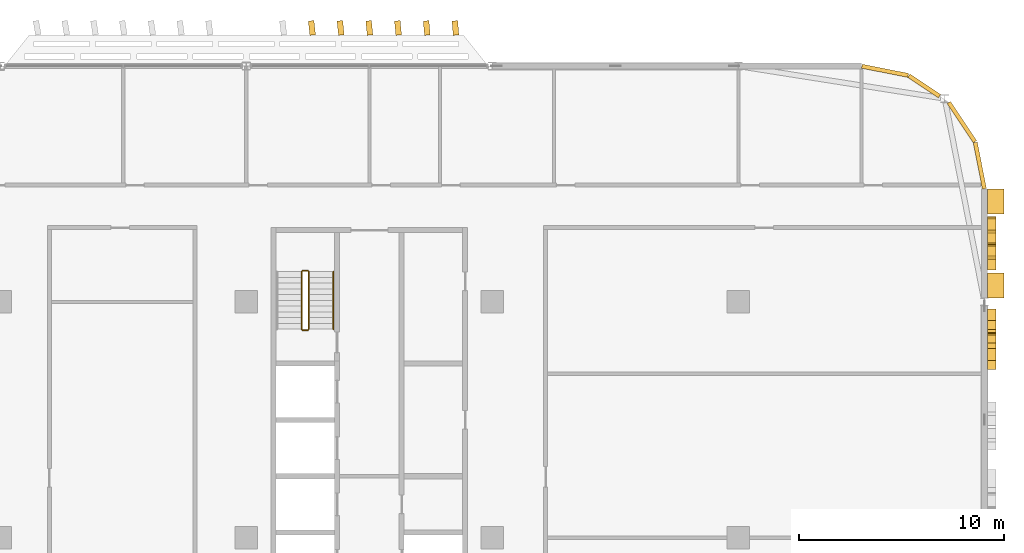
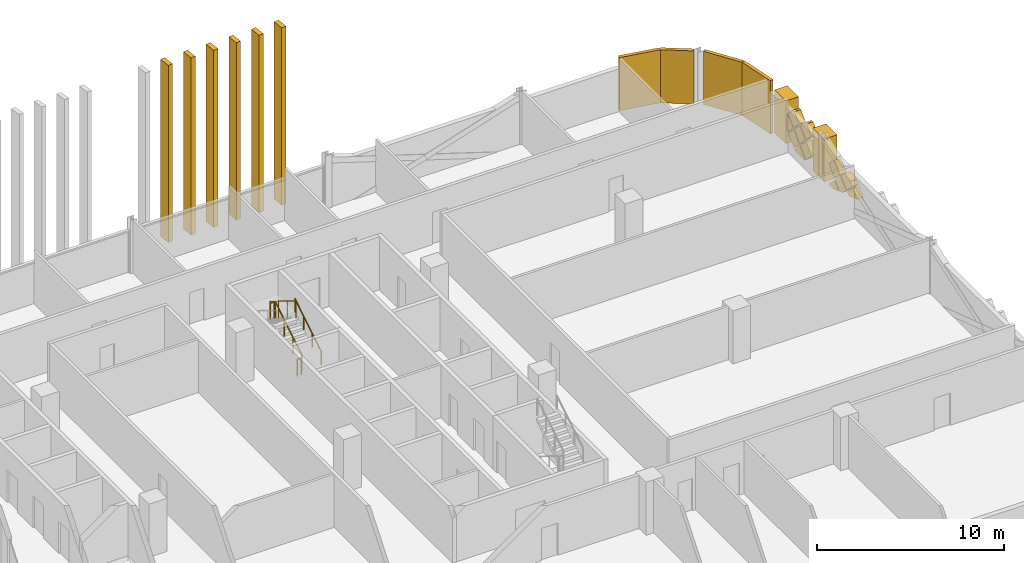
# One storey, part 30 of 30: 24 coverings, 5 railings.
"""IFC4 building model written with IfcOpenShell, lengths in metres."""

from ifc_helpers import new_model, si_unit, direction, frame, origin, origin_2d, place, context, subcontext, project, spatial, polyline, rectangle, circle, outline, extrude, material, layer, layer_set, type_object, element, save


model = new_model("IFC4")

# Units and contexts
model_context = context("Model", 3, precision=1e-05, world=origin(), true_north=direction((0.0, 1.0)))
body_context = subcontext(model_context, "Body", "Model", "MODEL_VIEW")
ifc_project = project(units=[si_unit("LENGTHUNIT", "METRE"), si_unit("AREAUNIT", "SQUARE_METRE"), si_unit("VOLUMEUNIT", "CUBIC_METRE"), si_unit("PLANEANGLEUNIT", "RADIAN"), si_unit("MASSUNIT", "GRAM", prefix="KILO")], contexts=[model_context])

# Site, building, storey
site_placement = place(None, origin())
site = spatial("IfcSite", under=ifc_project, at=site_placement, CompositionType="ELEMENT")
building_placement = place(site_placement, origin())
building = spatial("IfcBuilding", under=site, at=building_placement, Name="Mahtab Terrace Research Tower", CompositionType="ELEMENT")
storey_placement = place(building_placement, frame((0.0, 0.0, 209.10009765625)))
storey = spatial("IfcBuildingStorey", under=building, at=storey_placement, Name="L50", CompositionType="ELEMENT", Elevation=209.10009765625)

# Coverings
ifc_material_1 = material(Name="Black aluminium cladding panel", Category="aluminium")
ifc_layer_1 = layer(ifc_material_1, 0.199951171875)
ifc_layer_set_1 = layer_set([ifc_layer_1], Name="Black metal corner cladding 200")
covering_type_1 = type_object("IfcCoveringType", Name="Black metal corner cladding 200", PredefinedType="CLADDING", material=ifc_layer_set_1)
covering_1_placement = place(storey_placement, frame((52.89306640625, 20.26953125, 0.0), z_axis=(0.0, 0.0, 1.0), x_axis=(-0.555291490808, 0.831655794326, 0.0)))
element("IfcCovering", 1, at=covering_1_placement, inside=storey, type_object=covering_type_1, Name="Corner cladding L50 0", PredefinedType="CLADDING", context=body_context, shape_type="SweptSolid", body=[
    extrude(rectangle(XDim=2.30126953125, YDim=0.199951171875, at=origin_2d()), origin(), (0.0, 0.0, 1.0), 3.4599609375),
])
covering_2_placement = place(storey_placement, frame((51.059814453125, 22.032958984375, 0.0), z_axis=(0.0, 0.0, 1.0), x_axis=(-0.831655794326, 0.555291490808, 0.0)))
element("IfcCovering", 2, at=covering_2_placement, inside=storey, type_object=covering_type_1, Name="Corner cladding L50 1", PredefinedType="CLADDING", context=body_context, shape_type="SweptSolid", body=[
    extrude(rectangle(XDim=1.797119140625, YDim=0.199951171875, at=origin_2d()), origin(), (0.0, 0.0, 1.0), 3.4599609375),
])
for number, where, z_axis, x_axis, name in (
    (3, (49.14794921875, 22.771484375, 0.0), (0.0, 0.0, 1.0), (-0.980760981187, 0.195212442692, 0.0), "Corner cladding L50 2"),
    (4, (53.771484375, 18.14794921875, 0.0), (0.0, 0.0, 1.0), (-0.195212442692, 0.980760981187, 0.0), "Corner cladding L50 39"),
):
    element("IfcCovering", number, at=place(storey_placement, frame(where, z_axis=z_axis, x_axis=x_axis)), inside=storey, type_object=covering_type_1, Name=name, PredefinedType="CLADDING", context=body_context, shape_type="SweptSolid", body=[
        extrude(rectangle(XDim=2.30126953125, YDim=0.199951171875, at=origin_2d()), origin(), (0.0, 0.0, 1.0), 3.4599609375),
    ])
ifc_material_2 = material(Name="Bronze anodised aluminium", Category="aluminium")
ifc_layer_2 = layer(ifc_material_2, 0.39990234375)
ifc_layer_set_2 = layer_set([ifc_layer_2], Name="Mashrabiya relief panel 400")
covering_type_2 = type_object("IfcCoveringType", Name="Mashrabiya relief panel 400", PredefinedType="CLADDING", material=ifc_layer_set_2)
covering_3_placement = place(storey_placement, frame((54.14990234375, 8.64990234375, 1.429931640625), z_axis=(-1.0, 0.0, 0.0), x_axis=(0.0, 0.707106781187, -0.707106781187)))
element("IfcCovering", 5, at=covering_3_placement, inside=storey, type_object=covering_type_2, Name="Mashrabiya lattice cell L50 E37.9", PredefinedType="CLADDING", context=body_context, shape_type="SweptSolid", body=[
    extrude(outline(polyline([(0.0, 0.0), (0.8203543516109556, 0.0), (0.8203543516109555, 0.22891200972982467), (0.0001726334915006511, 0.6420239548908131), (0.0, 0.0)])), origin(), (0.0, 0.0, -1.0), 0.39990234375),
])
covering_4_placement = place(storey_placement, frame((54.14990234375, 9.8798828125, 1.5), z_axis=(-1.0, 0.0, 0.0), x_axis=(0.0, -0.706957932274, -0.707255598772)))
element("IfcCovering", 6, at=covering_4_placement, inside=storey, type_object=covering_type_2, Name="Mashrabiya lattice cell L50 E37.10", PredefinedType="CLADDING", context=body_context, shape_type="SweptSolid", body=[
    extrude(outline(polyline([(0.0, 0.0), (0.8201817362875763, 0.0), (0.8200090664636573, 0.8203543334390104), (0.5273953411881315, 0.8201201100204537), (-0.00011663933812705585, 0.5541534954417557), (0.0, 0.0)])), origin(), (0.0, 0.0, -1.0), 0.39990234375),
])
covering_5_placement = place(storey_placement, frame((54.14990234375, 9.3701171875, 0.849853515625), z_axis=(-1.0, 0.0, 0.0), x_axis=(0.0, 0.706957932274, 0.707255598772)))
element("IfcCovering", 7, at=covering_5_placement, inside=storey, type_object=covering_type_2, Name="Mashrabiya lattice cell L50 E37.11", PredefinedType="CLADDING", context=body_context, shape_type="SweptSolid", body=[
    extrude(outline(polyline([(0.0, 0.0), (0.8201817362875763, 0.0), (0.8200090664636573, 0.8203543334390104), (0.13413625626092912, 0.8200373360602502), (-0.00011634864818782509, 0.5527724275403434), (0.0, 0.0)])), origin(), (0.0, 0.0, -1.0), 0.39990234375),
])
covering_6_placement = place(storey_placement, frame((54.14990234375, 11.114990234375, 0.135009765625), z_axis=(-1.0, 0.0, 0.0), x_axis=(0.0, -1.0, 0.0)))
element("IfcCovering", 8, at=covering_6_placement, inside=storey, type_object=covering_type_2, Name="Mashrabiya lattice cell L50 E37.12", PredefinedType="CLADDING", context=body_context, shape_type="SweptSolid", body=[
    extrude(outline(polyline([(0.0, 0.0), (0.3740234375, 0.0), (0.965087890625, 0.19482421875), (0.514892578125, 0.644775390625), (-0.050048828125, 0.079833984375), (-0.050048828125, 0.0498046875), (0.0, 0.0)])), origin(), (0.0, 0.0, -1.0), 0.39990234375),
])
covering_7_placement = place(storey_placement, frame((54.14990234375, 10.60009765625, 0.919921875), z_axis=(-1.0, 0.0, 0.0), x_axis=(0.0, -0.707106781187, 0.707106781187)))
element("IfcCovering", 9, at=covering_7_placement, inside=storey, type_object=covering_type_2, Name="Mashrabiya lattice cell L50 E37.13", PredefinedType="CLADDING", context=body_context, shape_type="SweptSolid", body=[
    extrude(outline(polyline([(0.0, 0.0), (0.8203543516109556, 0.0), (0.820181718119455, 0.820181718119455), (0.021233919454576533, 0.820181718119455), (0.0, 0.7989477986648784), (0.0, 0.0)])), origin(), (0.0, 0.0, -1.0), 0.39990234375),
])
covering_8_placement = place(storey_placement, frame((54.14990234375, 13.64990234375, 1.429931640625), z_axis=(-1.0, 0.0, 0.0), x_axis=(0.0, 0.707106781187, -0.707106781187)))
element("IfcCovering", 10, at=covering_8_placement, inside=storey, type_object=covering_type_2, Name="Mashrabiya lattice cell L50 E38.1", PredefinedType="CLADDING", context=body_context, shape_type="SweptSolid", body=[
    extrude(outline(polyline([(0.0, 0.0), (0.8203543516109556, 0.0), (0.820181718119455, 0.820181718119455), (0.0001726334915006511, 0.820181718119455), (0.0, 0.0)])), origin(), (0.0, 0.0, -1.0), 0.39990234375),
])
covering_9_placement = place(storey_placement, frame((54.14990234375, 14.22998046875, 2.14990234375), z_axis=(-1.0, 0.0, 0.0), x_axis=(0.0, -0.707106781187, -0.707106781187)))
element("IfcCovering", 11, at=covering_9_placement, inside=storey, type_object=covering_type_2, Name="Mashrabiya lattice cell L50 E38.2", PredefinedType="CLADDING", context=body_context, shape_type="SweptSolid", body=[
    extrude(outline(polyline([(0.0, 0.0), (0.8203543516109556, 0.0), (0.820181718119455, 0.820181718119455), (0.11739077422042293, 0.8203543516109555), (0.0, 0.7029635773905326), (0.0, 0.0)])), origin(), (0.0, 0.0, -1.0), 0.39990234375),
])
covering_10_placement = place(storey_placement, frame((54.14990234375, 13.719970703125, 0.199951171875), z_axis=(-1.0, 0.0, 0.0), x_axis=(0.0, 0.707255598772, 0.706957932274)))
element("IfcCovering", 12, at=covering_10_placement, inside=storey, type_object=covering_type_2, Name="Mashrabiya lattice cell L50 E38.3", PredefinedType="CLADDING", context=body_context, shape_type="SweptSolid", body=[
    extrude(outline(polyline([(0.0, 0.0), (0.8201817362875763, 0.0), (0.8203543334390104, 0.8200090664636573), (0.7285133179950809, 0.8200283973446179), (1.9330880960628793e-05, 0.09184101544392961), (0.0, 0.0)])), origin(), (0.0, 0.0, -1.0), 0.39990234375),
])
covering_11_placement = place(storey_placement, frame((54.14990234375, 14.300048828125, 2.079833984375), z_axis=(-1.0, 0.0, 0.0), x_axis=(0.0, 0.707106781187, -0.707106781187)))
element("IfcCovering", 13, at=covering_11_placement, inside=storey, type_object=covering_type_2, Name="Mashrabiya lattice cell L50 E38.4", PredefinedType="CLADDING", context=body_context, shape_type="SweptSolid", body=[
    extrude(outline(polyline([(0.0, 0.0), (0.8200090846279543, 0.0), (0.820181718119455, 0.820181718119455), (-0.0001726334915006511, 0.820181718119455), (0.0, 0.0)])), origin(), (0.0, 0.0, -1.0), 0.39990234375),
])
covering_12_placement = place(storey_placement, frame((54.14990234375, 14.949951171875, 1.429931640625), z_axis=(-1.0, 0.0, 0.0), x_axis=(0.0, 0.707106781187, -0.707106781187)))
element("IfcCovering", 14, at=covering_12_placement, inside=storey, type_object=covering_type_2, Name="Mashrabiya lattice cell L50 E38.5", PredefinedType="CLADDING", context=body_context, shape_type="SweptSolid", body=[
    extrude(outline(polyline([(0.0, 0.0), (0.8203543516109556, 0.0), (0.820181718119455, 0.820181718119455), (0.0001726334915006511, 0.820181718119455), (0.0, 0.0)])), origin(), (0.0, 0.0, -1.0), 0.39990234375),
])
covering_13_placement = place(storey_placement, frame((54.14990234375, 15.530029296875, 2.14990234375), z_axis=(-1.0, 0.0, 0.0), x_axis=(0.0, -0.707106781187, -0.707106781187)))
element("IfcCovering", 15, at=covering_13_placement, inside=storey, type_object=covering_type_2, Name="Mashrabiya lattice cell L50 E38.6", PredefinedType="CLADDING", context=body_context, shape_type="SweptSolid", body=[
    extrude(outline(polyline([(0.0, 0.0), (0.8203543516109556, 0.0), (0.820181718119455, 0.820181718119455), (0.11739077422042293, 0.8203543516109555), (0.0, 0.7029635773905326), (0.0, 0.0)])), origin(), (0.0, 0.0, -1.0), 0.39990234375),
])
covering_14_placement = place(storey_placement, frame((54.14990234375, 15.60009765625, 0.919921875), z_axis=(-1.0, 0.0, 0.0), x_axis=(0.0, -0.707106781187, 0.707106781187)))
element("IfcCovering", 16, at=covering_14_placement, inside=storey, type_object=covering_type_2, Name="Mashrabiya lattice cell L50 E38.7", PredefinedType="CLADDING", context=body_context, shape_type="SweptSolid", body=[
    extrude(outline(polyline([(0.0, 0.0), (0.8203543516109556, 0.0), (0.820181718119455, 0.820181718119455), (0.7283407006411241, 0.820181718119455), (0.0, 0.09184101747833089), (0.0, 0.0)])), origin(), (0.0, 0.0, -1.0), 0.39990234375),
])
ifc_material_3 = material(Name="Glazed ceramic tile cladding", Category="masonry")
ifc_layer_3 = layer(ifc_material_3, 0.800048828125)
ifc_layer_set_3 = layer_set([ifc_layer_3], Name="Pishtaq frame pier 800")
covering_type_3 = type_object("IfcCoveringType", Name="Pishtaq frame pier 800", PredefinedType="CLADDING", material=ifc_layer_set_3)
for number, where, z_axis, x_axis, name in (
    (17, (54.550048828125, 12.300048828125, 0.0), (0.0, 0.0, 1.0), (0.0, 1.0, 0.0), "Pishtaq frame pier 38a"),
    (18, (54.550048828125, 16.39990234375, 0.0), (0.0, 0.0, 1.0), (0.0, 1.0, 0.0), "Pishtaq frame pier 38b"),
):
    element("IfcCovering", number, at=place(storey_placement, frame(where, z_axis=z_axis, x_axis=x_axis)), inside=storey, type_object=covering_type_3, Name=name, PredefinedType="CLADDING", context=body_context, shape_type="SweptSolid", body=[
        extrude(rectangle(XDim=1.199951171875, YDim=0.800048828125, at=origin_2d()), origin(), (0.0, 0.0, 1.0), 2.781982421875),
    ])

# Railings
ifc_material_4 = material(Name="Stainless steel AISI 304", Category="steel")
railing_type_1 = type_object("IfcRailingType", Name="Stair guard 1100", PredefinedType="GUARDRAIL", material=ifc_material_4)
railing_1_placement = place(storey_placement, frame((21.050048828125, 10.175048828125, 0.172607421875)))
element("IfcRailing", 19, at=railing_1_placement, inside=storey, type_object=railing_type_1, Name="L50 ST3 stair guard 1", PredefinedType="GUARDRAIL", context=body_context, shape_type="SweptSolid", body=[
    extrude(circle(Radius=0.02392578125, at=origin_2d()), frame((0.0, 0.0, 1.076171875), z_axis=(0.0, 0.851089632645, 0.525020415988), x_axis=(-1.0, 0.0, 0.0)), (0.0, 0.0, 1.0), 3.2900390625),
    extrude(circle(Radius=0.02099609375, at=origin_2d()), origin(), (0.0, 0.0, 1.0), 1.052001953125),
    extrude(circle(Radius=0.02099609375, at=origin_2d()), frame((0.0, 0.933349609375, 0.57568359375)), (0.0, 0.0, 1.0), 1.052001953125),
    extrude(circle(Radius=0.02099609375, at=origin_2d()), frame((0.0, 1.86669921875, 1.151611328125)), (0.0, 0.0, 1.0), 1.052001953125),
    extrude(circle(Radius=0.02099609375, at=origin_2d()), frame((0.0, 2.800048828125, 1.727294921875)), (0.0, 0.0, 1.0), 1.052001953125),
])
railing_2_placement = place(storey_placement, frame((21.0, 13.02490234375, 1.89990234375)))
element("IfcRailing", 20, at=railing_2_placement, inside=storey, type_object=railing_type_1, Name="L50 ST3 stair guard 2", PredefinedType="GUARDRAIL", context=body_context, shape_type="SweptSolid", body=[
    extrude(circle(Radius=0.02392578125, at=origin_2d()), frame((0.0, 0.0, 1.076171875), z_axis=(-1.0, 0.0, 0.0), x_axis=(0.0, -1.0, 0.0)), (0.0, 0.0, 1.0), 0.25),
    extrude(circle(Radius=0.02099609375, at=origin_2d()), origin(), (0.0, 0.0, 1.0), 1.052001953125),
    extrude(circle(Radius=0.02099609375, at=origin_2d()), frame((-0.25, 0.0, 0.0)), (0.0, 0.0, 1.0), 1.052001953125),
])
railing_3_placement = place(storey_placement, frame((20.699951171875, 12.97509765625, 2.072509765625)))
element("IfcRailing", 21, at=railing_3_placement, inside=storey, type_object=railing_type_1, Name="L50 ST3 stair guard 3", PredefinedType="GUARDRAIL", context=body_context, shape_type="SweptSolid", body=[
    extrude(circle(Radius=0.02392578125, at=origin_2d()), frame((0.0, 0.0, 1.076171875), z_axis=(0.0, -0.851089632645, 0.525020415988), x_axis=(1.0, 0.0, 0.0)), (0.0, 0.0, 1.0), 3.2900390625),
    extrude(circle(Radius=0.02099609375, at=origin_2d()), origin(), (0.0, 0.0, 1.0), 1.052001953125),
    extrude(circle(Radius=0.02099609375, at=origin_2d()), frame((0.0, -0.933349609375, 0.57568359375)), (0.0, 0.0, 1.0), 1.052001953125),
    extrude(circle(Radius=0.02099609375, at=origin_2d()), frame((0.0, -1.86669921875, 1.151611328125)), (0.0, 0.0, 1.0), 1.052001953125),
    extrude(circle(Radius=0.02099609375, at=origin_2d()), frame((0.0, -2.800048828125, 1.727294921875)), (0.0, 0.0, 1.0), 1.052001953125),
])
railing_4_placement = place(storey_placement, frame((21.0, 10.125, 0.0)))
element("IfcRailing", 22, at=railing_4_placement, inside=storey, type_object=railing_type_1, Name="L50 ST3 stair guard 4", PredefinedType="GUARDRAIL", context=body_context, shape_type="SweptSolid", body=[
    extrude(circle(Radius=0.02392578125, at=origin_2d()), frame((0.0, 0.0, 1.076171875), z_axis=(-1.0, 0.0, 0.0), x_axis=(0.0, -1.0, 0.0)), (0.0, 0.0, 1.0), 0.25),
    extrude(circle(Radius=0.02099609375, at=origin_2d()), origin(), (0.0, 0.0, 1.0), 1.052001953125),
    extrude(circle(Radius=0.02099609375, at=origin_2d()), frame((-0.25, 0.0, 0.0)), (0.0, 0.0, 1.0), 1.052001953125),
])
railing_type_2 = type_object("IfcRailingType", Name="Stair handrail 900", PredefinedType="HANDRAIL", material=ifc_material_4)
railing_5_placement = place(storey_placement, frame((22.25, 10.175048828125, 0.172607421875)))
element("IfcRailing", 23, at=railing_5_placement, inside=storey, type_object=railing_type_2, Name="L50 ST3 stair handrail 1", PredefinedType="HANDRAIL", context=body_context, shape_type="SweptSolid", body=[
    extrude(circle(Radius=0.02392578125, at=origin_2d()), frame((0.0, 0.0, 0.8759765625), z_axis=(0.0, 0.851089632645, 0.525020415988), x_axis=(-1.0, 0.0, 0.0)), (0.0, 0.0, 1.0), 3.2900390625),
    extrude(circle(Radius=0.02099609375, at=origin_2d()), origin(), (0.0, 0.0, 1.0), 0.851806640625),
    extrude(circle(Radius=0.02099609375, at=origin_2d()), frame((0.0, 0.933349609375, 0.57568359375)), (0.0, 0.0, 1.0), 0.851806640625),
    extrude(circle(Radius=0.02099609375, at=origin_2d()), frame((0.0, 1.86669921875, 1.151611328125)), (0.0, 0.0, 1.0), 0.851806640625),
    extrude(circle(Radius=0.02099609375, at=origin_2d()), frame((0.0, 2.800048828125, 1.727294921875)), (0.0, 0.0, 1.0), 0.851806640625),
])

# Coverings
ifc_layer_4 = layer(ifc_material_2, 0.1201171875)
ifc_layer_set_4 = layer_set([ifc_layer_4], Name="Vertical fin 700")
covering_type_4 = type_object("IfcCoveringType", Name="Vertical fin 700", PredefinedType="CLADDING", material=ifc_layer_set_4)
for number, where, z_axis, x_axis, name in (
    (24, (28.199951171875, 24.8603515625, -0.14990234375), (0.0, 0.0, 1.0), (-0.996616925886, -0.082187000416, 0.0), "Fin L50 N1"),
    (25, (26.800048828125, 24.86083984375, -0.14990234375), (0.0, 0.0, 1.0), (-0.996121918106, -0.087983659104, 0.0), "Fin L50 N2"),
    (26, (25.39990234375, 24.861572265625, -0.14990234375), (0.0, 0.0, 1.0), (-0.995593195301, -0.093777339855, 0.0), "Fin L50 N3"),
    (27, (24.0, 24.8623046875, -0.14990234375), (0.0, 0.0, 1.0), (-0.995030775366, -0.099567846591, 0.0), "Fin L50 N4"),
    (28, (22.60009765625, 24.86279296875, -0.14990234375), (0.0, 0.0, 1.0), (-0.994434677334, -0.105354983343, 0.0), "Fin L50 N5"),
    (29, (21.199951171875, 24.86328125, -0.14990234375), (0.0, 0.0, 1.0), (-0.993804921385, -0.111138554202, 0.0), "Fin L50 N6"),
):
    element("IfcCovering", number, at=place(storey_placement, frame(where, z_axis=z_axis, x_axis=x_axis)), inside=storey, type_object=covering_type_4, Name=name, PredefinedType="CLADDING", context=body_context, shape_type="SweptSolid", body=[
        extrude(rectangle(XDim=0.280029296875, YDim=0.699951171875, at=origin_2d()), origin(), (0.0, 0.0, 1.0), 11.550048828125),
    ])

save(model, "model.ifc")
